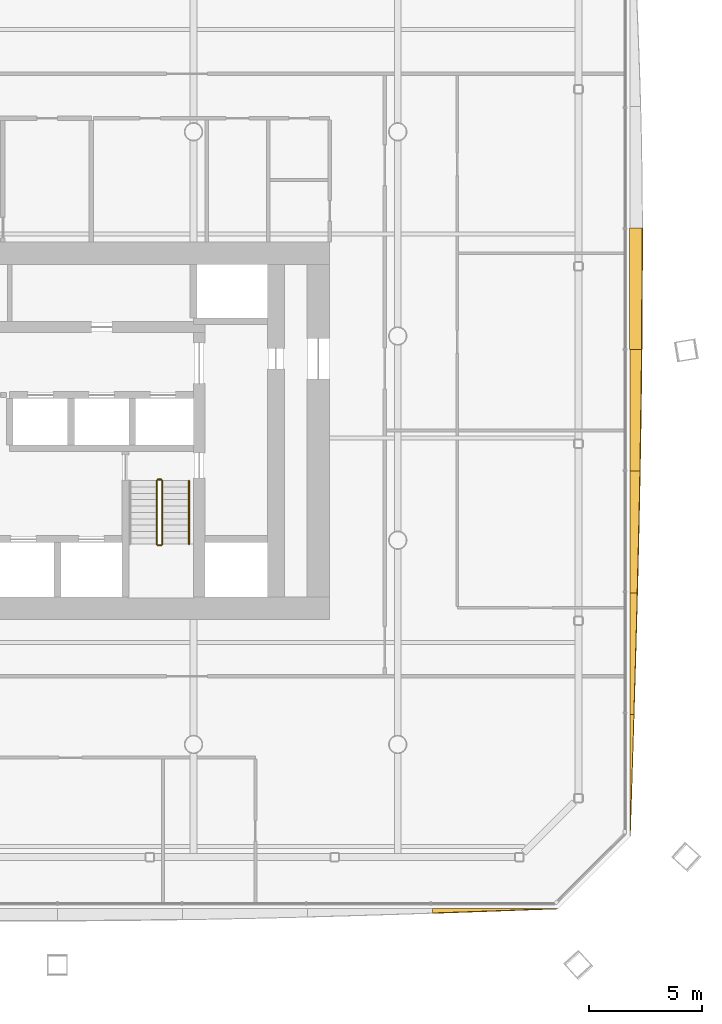
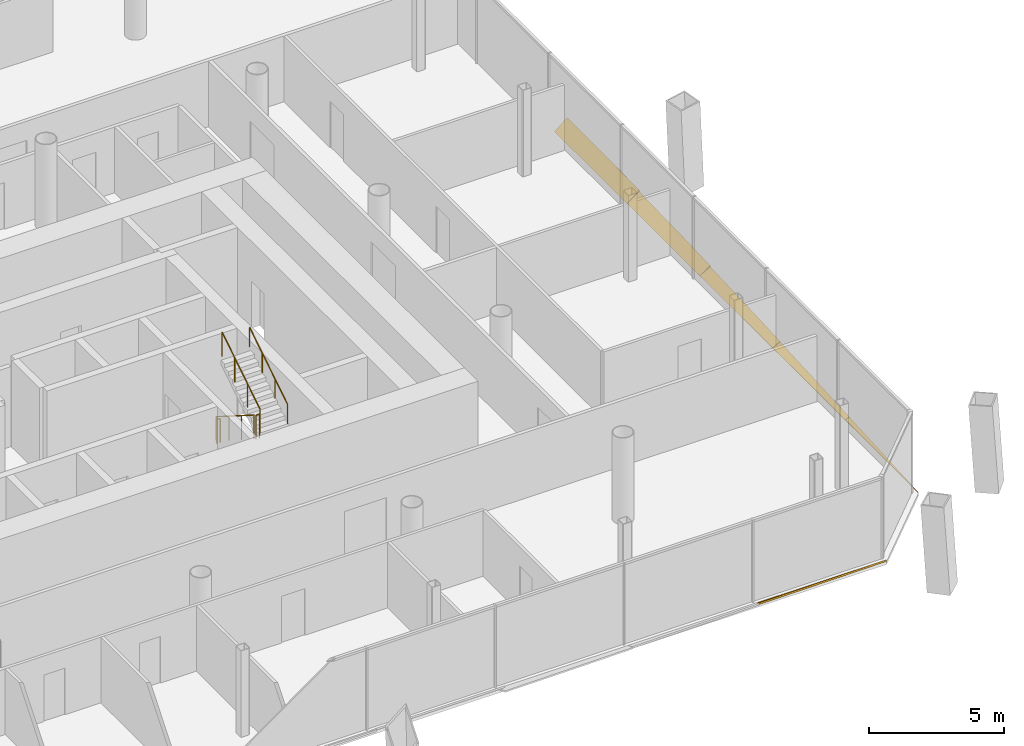
# One storey, part 17 of 19: 6 shading devices, 5 railings.
"""IFC4 building model written with IfcOpenShell, lengths in metres."""

import ifcopenshell
import ifcopenshell.guid

model = None  # the IFC model being written
_history = None  # IfcOwnerHistory: only IFC2X3 demands one
_inside = {}  # id of a spatial element -> (the spatial element, [elements in it])
_under = {}  # id of a project, library or spatial element -> (it, [spatial elements below it])
_declared = {}  # id of a project -> (the project, [libraries it declares])
_typed = {}  # id of a type object -> (the type object, [elements of that type])
_made_of = {}  # id of a material, layer set ... -> (it, [elements and type objects made of it])


def new_model(schema):
    """Start an empty IFC model of exactly this schema.

    Asked for "IFC4X3", IfcOpenShell would pick the latest addendum, in which some entities
    have other attributes; the version numbers below select the first issue.
    IFC2X3 requires an IfcOwnerHistory on every rooted entity: one is made here for all.
    """
    global model, _history
    if schema == "IFC4X3":
        model = ifcopenshell.file(schema_version=(4, 3, 0, 0))
    else:
        model = ifcopenshell.file(schema=schema)
    _inside.clear()
    _under.clear()
    _declared.clear()
    _typed.clear()
    _made_of.clear()
    _history = None
    if model.schema == "IFC2X3":
        org = make("IfcOrganization", Name="unknown")
        user = make(
            "IfcPersonAndOrganization",
            ThePerson=make("IfcPerson", FamilyName="unknown"),
            TheOrganization=org,
        )
        app = make(
            "IfcApplication",
            ApplicationDeveloper=org,
            Version="unknown",
            ApplicationFullName="unknown",
            ApplicationIdentifier="unknown",
        )
        _history = make(
            "IfcOwnerHistory",
            OwningUser=user,
            OwningApplication=app,
            ChangeAction="ADDED",
            CreationDate=0,
        )
    return model


def make(cls, **values):
    """One entity of the class cls with the attributes given. An attribute that is None is left unset."""
    return model.create_entity(
        cls, **{name: value for name, value in values.items() if value is not None}
    )


def rooted(cls, **values):
    """An entity with a GlobalId (a new one), such as an element, a storey or a relation."""
    return make(cls, GlobalId=ifcopenshell.guid.new(), OwnerHistory=_history, **values)


def si_unit(unit_type, name, prefix=None):
    """IfcSIUnit, for example si_unit("LENGTHUNIT", "METRE", prefix="MILLI")."""
    return make("IfcSIUnit", UnitType=unit_type, Prefix=prefix, Name=name)


def assignment(units):
    """IfcUnitAssignment: the units of a project."""
    return None if units is None else make("IfcUnitAssignment", Units=units)


def point(xyz):
    """IfcCartesianPoint."""
    return None if xyz is None else make("IfcCartesianPoint", Coordinates=xyz)


def direction(xyz):
    """IfcDirection."""
    return None if xyz is None else make("IfcDirection", DirectionRatios=xyz)


def frame(location, z_axis=None, x_axis=None):
    """IfcAxis2Placement3D, a coordinate frame: its origin and axes. An axis left out is left unset."""
    return make(
        "IfcAxis2Placement3D",
        Location=point(location),
        Axis=direction(z_axis),
        RefDirection=direction(x_axis),
    )


def frame_2d(location, x_axis=None):
    """IfcAxis2Placement2D, a coordinate frame in the plane: its origin and x axis."""
    return make(
        "IfcAxis2Placement2D", Location=point(location), RefDirection=direction(x_axis)
    )


def origin():
    """The frame at (0, 0, 0) with its axes left unset."""
    return frame((0.0, 0.0, 0.0))


def origin_2d():
    """The frame at (0, 0) in the plane with its x axis left unset."""
    return frame_2d((0.0, 0.0))


def place(relative_to, where):
    """IfcLocalPlacement: puts the frame where relative to a parent placement (None: the world)."""
    return make(
        "IfcLocalPlacement", PlacementRelTo=relative_to, RelativePlacement=where
    )


def context(
    kind, dimensions, precision=None, world=None, true_north=None, identifier=None
):
    """IfcGeometricRepresentationContext, for example the 3D "Model" context."""
    return make(
        "IfcGeometricRepresentationContext",
        ContextIdentifier=identifier,
        ContextType=kind,
        CoordinateSpaceDimension=dimensions,
        Precision=precision,
        WorldCoordinateSystem=world,
        TrueNorth=true_north,
    )


def subcontext(parent, identifier, kind, view, scale=None):
    """IfcGeometricRepresentationSubContext, for example "Body" below "Model"."""
    return make(
        "IfcGeometricRepresentationSubContext",
        ContextIdentifier=identifier,
        ContextType=kind,
        ParentContext=parent,
        TargetScale=scale,
        TargetView=view,
    )


def project(units=None, contexts=None):
    """IfcProject with its units and contexts."""
    return rooted(
        "IfcProject",
        Name="project",
        RepresentationContexts=contexts,
        UnitsInContext=assignment(units),
    )


def spatial(cls, under=None, at=None, **own):
    """A site, building, storey or space (cls), placed at a placement, below another one or the project."""
    s = rooted(cls, ObjectPlacement=at, **own)
    if under is not None:
        _under.setdefault(under.id(), (under, []))[1].append(s)
    return s


def polyline(points):
    """IfcPolyline through the points."""
    return make("IfcPolyline", Points=[point(p) for p in points])


def profile(cls, at=None, kind="AREA", **sizes):
    """A parametric profile (cls). Its sizes go by their IFC names, for example OverallWidth=200.0."""
    return make(cls, ProfileType=kind, Position=at, **sizes)


def circle(**sizes):
    """IfcCircleProfileDef."""
    return profile("IfcCircleProfileDef", **sizes)


def outline(outer, holes=None, kind="AREA"):
    """IfcArbitraryClosedProfileDef: a profile drawn as a closed curve; with holes, ...WithVoids."""
    if holes is None:
        return make("IfcArbitraryClosedProfileDef", ProfileType=kind, OuterCurve=outer)
    return make(
        "IfcArbitraryProfileDefWithVoids",
        ProfileType=kind,
        OuterCurve=outer,
        InnerCurves=holes,
    )


def extrude(swept, where, along, depth):
    """IfcExtrudedAreaSolid: the profile swept, set in the frame where, extruded along a direction by depth."""
    return make(
        "IfcExtrudedAreaSolid",
        SweptArea=swept,
        Position=where,
        ExtrudedDirection=direction(along),
        Depth=depth,
    )


def shape(context_of_items, identifier, shape_type, items):
    """IfcShapeRepresentation: the items that make up one representation, for example the "Body"."""
    return make(
        "IfcShapeRepresentation",
        ContextOfItems=context_of_items,
        RepresentationIdentifier=identifier,
        RepresentationType=shape_type,
        Items=items,
    )


def material(Name=None, Category=None):
    """IfcMaterial."""
    return make("IfcMaterial", Name=Name, Category=Category)


def layer(
    of_material, thickness, ventilated=None, Name=None, Category=None, Priority=None
):
    """IfcMaterialLayer: one layer of a wall or slab, of a material (None: an air gap)."""
    return make(
        "IfcMaterialLayer",
        Material=of_material,
        LayerThickness=thickness,
        IsVentilated=ventilated,
        Name=Name,
        Category=Category,
        Priority=Priority,
    )


def layer_set(layers, Name=None):
    """IfcMaterialLayerSet."""
    return make("IfcMaterialLayerSet", MaterialLayers=layers, LayerSetName=Name)


def made_of(thing, what):
    """Note that an element or type object is made of a material, layer set ...; save() writes the relation."""
    if what is not None:
        _made_of.setdefault(what.id(), (what, []))[1].append(thing)
    return thing


def type_object(cls, material=None, **own):
    """A type object (cls), such as IfcWallType, which elements share."""
    return made_of(rooted(cls, **own), material)


def element(
    cls,
    number,
    at=None,
    inside=None,
    cuts=None,
    type_object=None,
    material=None,
    context=None,
    identifier="Body",
    shape_type=None,
    held_by="IfcProductDefinitionShape",
    body=None,
    shapes=None,
    **own,
):
    """One element of the class cls, such as IfcWall. Its Tag is "e" and its number.

    at: its placement. inside: the storey or other place that contains it. cuts: it is an
    opening in that element (IfcRelVoidsElement). A single representation is given by context,
    identifier, shape_type and body (its items); several are given by shapes. held_by: the class
    of the entity that holds the representations. save() writes the other relations.
    """
    e = rooted(cls, Tag="e%d" % number, ObjectPlacement=at, **own)
    if body is not None:
        shapes = [shape(context, identifier, shape_type, body)]
    if shapes is not None:
        e.Representation = make(held_by, Representations=shapes)
    if inside is not None:
        _inside.setdefault(inside.id(), (inside, []))[1].append(e)
    if cuts is not None:
        rooted(
            "IfcRelVoidsElement", RelatingBuildingElement=cuts, RelatedOpeningElement=e
        )
    if type_object is not None:
        _typed.setdefault(type_object.id(), (type_object, []))[1].append(e)
    return made_of(e, material)


def aggregate(whole, parts):
    """IfcRelAggregates: a whole, such as a stair, and the parts it consists of."""
    return rooted("IfcRelAggregates", RelatingObject=whole, RelatedObjects=parts)


def save(model, path):
    """Write the relations noted so far, then the file.

    IfcRelAggregates (storeys below a building ...), IfcRelContainedInSpatialStructure (elements
    in a storey), IfcRelDefinesByType, IfcRelAssociatesMaterial and IfcRelDeclares: one each for
    every whole, place, type object, material and project.
    """
    for whole, parts in _under.values():
        aggregate(whole, parts)
    for where, things in _inside.values():
        rooted(
            "IfcRelContainedInSpatialStructure",
            RelatedElements=things,
            RelatingStructure=where,
        )
    for kind, things in _typed.values():
        rooted("IfcRelDefinesByType", RelatedObjects=things, RelatingType=kind)
    for what, things in _made_of.values():
        rooted("IfcRelAssociatesMaterial", RelatedObjects=things, RelatingMaterial=what)
    for by, libraries in _declared.values():
        rooted("IfcRelDeclares", RelatingContext=by, RelatedDefinitions=libraries)
    model.write(path)


model = new_model("IFC4")

# Units and contexts
model_context = context("Model", 3, precision=1e-05, world=origin(), true_north=direction((0.0, 1.0)))
body_context = subcontext(model_context, "Body", "Model", "MODEL_VIEW")
ifc_project = project(units=[si_unit("LENGTHUNIT", "METRE"), si_unit("AREAUNIT", "SQUARE_METRE"), si_unit("VOLUMEUNIT", "CUBIC_METRE"), si_unit("PLANEANGLEUNIT", "RADIAN"), si_unit("MASSUNIT", "GRAM", prefix="KILO")], contexts=[model_context])

# Site, building, storey
site_placement = place(None, origin())
site = spatial("IfcSite", under=ifc_project, at=site_placement, CompositionType="ELEMENT")
building_placement = place(site_placement, origin())
building = spatial("IfcBuilding", under=site, at=building_placement, Name="Tskaro Facet Tower", CompositionType="ELEMENT")
storey_placement = place(building_placement, frame((0.0, 0.0, 81.60009765625)))
storey = spatial("IfcBuildingStorey", under=building, at=storey_placement, Name="L19", CompositionType="ELEMENT", Elevation=81.60009765625)

# Shading devices
ifc_material_1 = material(Name="Bronze anodised aluminium 6063-T6", Category="aluminium")
ifc_layer = layer(ifc_material_1, 0.06005859375, Name="Bronze anodised aluminium 6063-T6")
ifc_layer_set = layer_set([ifc_layer], Name="Bronze anodised aluminium 6063-T6")
shading_device_type = type_object("IfcShadingDeviceType", Name="Bronze sun blade (FN1)", PredefinedType="USERDEFINED", material=ifc_layer_set)
shading_device_1_placement = place(storey_placement, frame((19.5322265625, -25.23095703125, 0.0517578125), z_axis=(-1.1426707e-05, 0.500339999129, 0.865829016112), x_axis=(0.999999999935, 5.717239e-06, 9.893575e-06)))
element("IfcShadingDevice", 1, at=shading_device_1_placement, inside=storey, type_object=shading_device_type, Name="Fin blade south 8", ObjectType="FIN", PredefinedType="USERDEFINED", context=body_context, shape_type="SweptSolid", body=[
    extrude(outline(polyline([(0.0, 0.0), (5.510742187140233, 0.0), (4.82202148419754, -0.028768217675708307), (4.133056640629861, -0.057536435351416615), (3.4443359376871685, -0.08630465302712492), (2.7553710930998783, -0.11473933334557496), (2.0666503905333813, -0.1429626296268745), (1.3776855463222881, -0.1708523885509158), (0.6889648441319888, -0.19853076343780662), (-7.225212451409786e-10, -0.22554206361018092), (0.0, 0.0)])), origin(), (0.0, 0.0, -1.0), 0.06005859375),
])
shading_device_2_placement = place(storey_placement, frame((28.240478515625, -22.04296875, 0.056396484375), z_axis=(-0.340926621852, -2.1296571e-05, 0.940089909561), x_axis=(-7.260568e-06, 0.999999999773, 2.0020692e-05)))
element("IfcShadingDevice", 2, at=shading_device_2_placement, inside=storey, type_object=shading_device_type, Name="Fin blade east 1", ObjectType="FIN", PredefinedType="USERDEFINED", context=body_context, shape_type="SweptSolid", body=[
    extrude(outline(polyline([(0.0, 0.0), (5.361328123784201, -4.541221562916122e-21), (5.361328126201703, -0.17871423667167943), (4.691162108103257, -0.1568547938736158), (4.020996094892674, -0.1350785851141092), (3.3508300803394278, -0.11276011403978854), (2.6806640608983168, -0.09035840892691081), (2.01049804634507, -0.06803993785259016), (1.3403320286765588, -0.045408718601583915), (0.6701660127806471, -0.022547985212449176), (0.0, 0.0)])), origin(), (0.0, 0.0, -1.0), 0.06005859375),
])
shading_device_3_placement = place(storey_placement, frame((28.235595703125, -16.681640625, 0.05419921875), z_axis=(-0.422651143967, -1.0729777e-05, 0.906292453013), x_axis=(-4.534952e-06, 0.999999999942, 9.724316e-06)))
element("IfcShadingDevice", 3, at=shading_device_3_placement, inside=storey, type_object=shading_device_type, Name="Fin blade east 2", ObjectType="FIN", PredefinedType="USERDEFINED", context=body_context, shape_type="SweptSolid", body=[
    extrude(outline(polyline([(0.0, 0.0), (5.36132812469138, 0.0), (5.361328125826576, -0.3521341391579206), (4.69116210812953, -0.33291614524597485), (4.0209960937539835, -0.3130343629162568), (3.3508300781115015, -0.2928281314661636), (2.6806640623092517, -0.2720761880897712), (2.010498047614168, -0.2511029819074547), (1.3403320303852153, -0.22948087748438797), (0.6701660153705952, -0.207416247449473), (3.5597493425001573e-10, -0.18535161741455808), (0.0, 0.0)])), origin(), (0.0, 0.0, -1.0), 0.06005859375),
])
shading_device_4_placement = place(storey_placement, frame((28.23095703125, -11.3203125, 0.0517578125), z_axis=(-0.500085701775, -2.267965e-06, 0.865975918185), x_axis=(-1.134177e-06, 0.999999999997, 1.964003e-06)))
element("IfcShadingDevice", 4, at=shading_device_4_placement, inside=storey, type_object=shading_device_type, Name="Fin blade east 3", ObjectType="FIN", PredefinedType="USERDEFINED", context=body_context, shape_type="SweptSolid", body=[
    extrude(outline(polyline([(0.0, 0.0), (5.361328124986212, 0.0), (5.361328125113008, -0.5066522664611552), (4.691162109301078, -0.49166218335106054), (4.020996094042947, -0.47624926043716365), (3.3508300779001337, -0.46004722401210923), (2.6806640625880163, -0.44321092788135175), (2.010498046668116, -0.42537409833753564), (1.3403320313020133, -0.40711442898991745), (0.6701660155307215, -0.3881877373669269), (1.1063306277185043e-10, -0.368504694802448), (0.0, 0.0)])), origin(), (0.0, 0.0, -1.0), 0.06005859375),
])
shading_device_5_placement = place(storey_placement, frame((28.2265625, -5.958984375, 0.049072265625), z_axis=(-0.573558376847, 1.3562682e-05, 0.819164689281), x_axis=(7.77899e-06, 0.999999999908, -1.111007e-05)))
element("IfcShadingDevice", 5, at=shading_device_5_placement, inside=storey, type_object=shading_device_type, Name="Fin blade east 4", ObjectType="FIN", PredefinedType="USERDEFINED", context=body_context, shape_type="SweptSolid", body=[
    extrude(outline(polyline([(0.0, 0.0), (5.361572265131879, 0.0), (5.361572265858964, -0.6279244644533089), (4.691406248654883, -0.6196641567230671), (4.021240233890557, -0.6103837881532823), (3.351074218853569, -0.600223387644565), (2.6809082016447494, -0.5889829638176775), (2.010742188774854, -0.5769224705304844), (1.3403320303957302, -0.5639219828257316), (0.6701660169805076, -0.5501014256606731), (-1.3189651805607086e-09, -0.535340874078055), (0.0, 0.0)])), origin(), (0.0, 0.0, -1.0), 0.06005859375),
])
shading_device_6_placement = place(storey_placement, frame((28.222412109375, -0.597412109375, 0.0458984375), z_axis=(-0.642698528529, 1.237096e-05, 0.76611918216), x_axis=(7.950798e-06, 0.999999999923, -9.47763e-06)))
element("IfcShadingDevice", 6, at=shading_device_6_placement, inside=storey, type_object=shading_device_type, Name="Fin blade east 5", ObjectType="FIN", PredefinedType="USERDEFINED", context=body_context, shape_type="SweptSolid", body=[
    extrude(outline(polyline([(0.0, 0.0), (5.3613281245897495, 4.541221562916122e-21), (5.3613281252711955, -0.7035812571449387), (5.146728513598742, -0.7037381659653923), (4.691162109697476, -0.7035812571449387), (4.020996091359819, -0.7021753266037208), (3.3508300783954317, -0.6997676791487457), (2.680664062294343, -0.6962980507889778), (2.0104980473115392, -0.6917965735199348), (1.340332031505908, -0.6860762065256455), (0.6701660168185621, -0.6793239906220812), (-1.0054861909596248e-09, -0.6715097938137239), (0.0, 0.0)])), origin(), (0.0, 0.0, -1.0), 0.06005859375),
])

# Railings
ifc_material_2 = material(Name="Stainless steel", Category="steel")
railing_type_1 = type_object("IfcRailingType", Name="RL-GUARD-1100", PredefinedType="GUARDRAIL", material=ifc_material_2)
railing_1_placement = place(storey_placement, frame((7.375, -6.375, 0.17724609375)))
element("IfcRailing", 7, at=railing_1_placement, inside=storey, type_object=railing_type_1, Name="L19 ST-2 stair guard 1", PredefinedType="GUARDRAIL", context=body_context, shape_type="SweptSolid", body=[
    extrude(circle(Radius=0.02392578125, at=origin_2d()), frame((0.0, 0.0, 1.076171875), z_axis=(0.0, -0.844908973607, 0.534910110503), x_axis=(1.0, 0.0, 0.0)), (0.0, 0.0, 1.0), 3.31396484375),
    extrude(circle(Radius=0.02099609375, at=origin_2d()), origin(), (0.0, 0.0, 1.0), 1.052001953125),
    extrude(circle(Radius=0.02099609375, at=origin_2d()), frame((0.0, -0.933349609375, 0.5908203125)), (0.0, 0.0, 1.0), 1.052001953125),
    extrude(circle(Radius=0.02099609375, at=origin_2d()), frame((0.0, -1.86669921875, 1.181884765625)), (0.0, 0.0, 1.0), 1.052001953125),
    extrude(circle(Radius=0.02099609375, at=origin_2d()), frame((0.0, -2.800048828125, 1.772705078125)), (0.0, 0.0, 1.0), 1.052001953125),
])
railing_2_placement = place(storey_placement, frame((7.425048828125, -9.22509765625, 1.949951171875)))
element("IfcRailing", 8, at=railing_2_placement, inside=storey, type_object=railing_type_1, Name="L19 ST-2 stair guard 2", PredefinedType="GUARDRAIL", context=body_context, shape_type="SweptSolid", body=[
    extrude(circle(Radius=0.02392578125, at=origin_2d()), frame((0.0, 0.0, 1.076171875), z_axis=(1.0, 0.0, 0.0), x_axis=(0.0, 1.0, 0.0)), (0.0, 0.0, 1.0), 0.14990234375),
    extrude(circle(Radius=0.02099609375, at=origin_2d()), origin(), (0.0, 0.0, 1.0), 1.052001953125),
    extrude(circle(Radius=0.02099609375, at=origin_2d()), frame((0.14990234375, 0.0, 0.0)), (0.0, 0.0, 1.0), 1.052001953125),
])
railing_3_placement = place(storey_placement, frame((7.625, -9.175048828125, 2.127197265625)))
element("IfcRailing", 9, at=railing_3_placement, inside=storey, type_object=railing_type_1, Name="L19 ST-2 stair guard 3", PredefinedType="GUARDRAIL", context=body_context, shape_type="SweptSolid", body=[
    extrude(circle(Radius=0.02392578125, at=origin_2d()), frame((0.0, 0.0, 1.076171875), z_axis=(0.0, 0.844908973607, 0.534910110503), x_axis=(-1.0, 0.0, 0.0)), (0.0, 0.0, 1.0), 3.31396484375),
    extrude(circle(Radius=0.02099609375, at=origin_2d()), origin(), (0.0, 0.0, 1.0), 1.052001953125),
    extrude(circle(Radius=0.02099609375, at=origin_2d()), frame((0.0, 0.933349609375, 0.5908203125)), (0.0, 0.0, 1.0), 1.052001953125),
    extrude(circle(Radius=0.02099609375, at=origin_2d()), frame((0.0, 1.86669921875, 1.181884765625)), (0.0, 0.0, 1.0), 1.052001953125),
    extrude(circle(Radius=0.02099609375, at=origin_2d()), frame((0.0, 2.800048828125, 1.772705078125)), (0.0, 0.0, 1.0), 1.052001953125),
])
railing_4_placement = place(storey_placement, frame((7.425048828125, -6.324951171875, 0.0)))
element("IfcRailing", 10, at=railing_4_placement, inside=storey, type_object=railing_type_1, Name="L19 ST-2 stair guard 4", PredefinedType="GUARDRAIL", context=body_context, shape_type="SweptSolid", body=[
    extrude(circle(Radius=0.02392578125, at=origin_2d()), frame((0.0, 0.0, 1.076171875), z_axis=(1.0, 0.0, 0.0), x_axis=(0.0, 1.0, 0.0)), (0.0, 0.0, 1.0), 0.14990234375),
    extrude(circle(Radius=0.02099609375, at=origin_2d()), origin(), (0.0, 0.0, 1.0), 1.052001953125),
    extrude(circle(Radius=0.02099609375, at=origin_2d()), frame((0.14990234375, 0.0, 0.0)), (0.0, 0.0, 1.0), 1.052001953125),
])
railing_type_2 = type_object("IfcRailingType", Name="RL-HANDRAIL-900", PredefinedType="HANDRAIL", material=ifc_material_2)
railing_5_placement = place(storey_placement, frame((8.800048828125, -9.175048828125, 2.127197265625)))
element("IfcRailing", 11, at=railing_5_placement, inside=storey, type_object=railing_type_2, Name="L19 ST-2 stair handrail 2", PredefinedType="HANDRAIL", context=body_context, shape_type="SweptSolid", body=[
    extrude(circle(Radius=0.02392578125, at=origin_2d()), frame((0.0, 0.0, 0.8759765625), z_axis=(0.0, 0.844908973607, 0.534910110503), x_axis=(-1.0, 0.0, 0.0)), (0.0, 0.0, 1.0), 3.31396484375),
    extrude(circle(Radius=0.02099609375, at=origin_2d()), origin(), (0.0, 0.0, 1.0), 0.851806640625),
    extrude(circle(Radius=0.02099609375, at=origin_2d()), frame((0.0, 0.933349609375, 0.5908203125)), (0.0, 0.0, 1.0), 0.851806640625),
    extrude(circle(Radius=0.02099609375, at=origin_2d()), frame((0.0, 1.86669921875, 1.181884765625)), (0.0, 0.0, 1.0), 0.851806640625),
    extrude(circle(Radius=0.02099609375, at=origin_2d()), frame((0.0, 2.800048828125, 1.772705078125)), (0.0, 0.0, 1.0), 0.851806640625),
])

save(model, "model.ifc")
